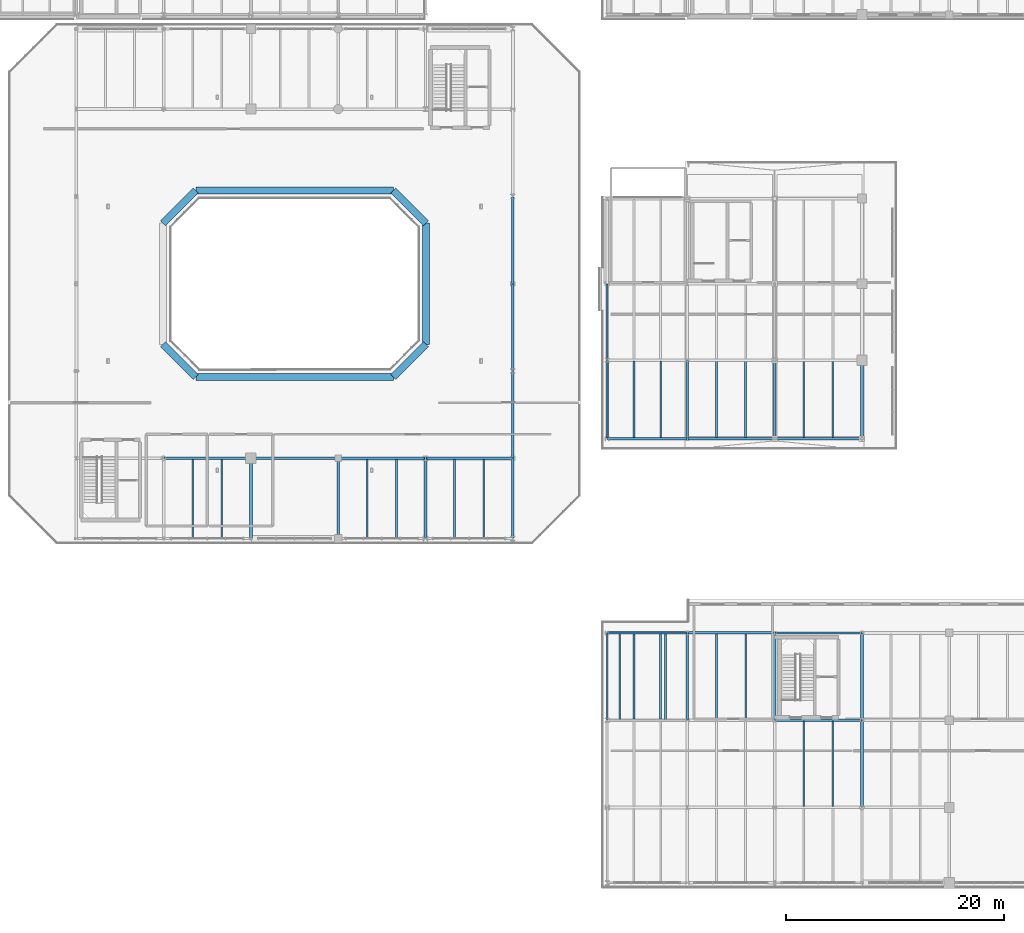
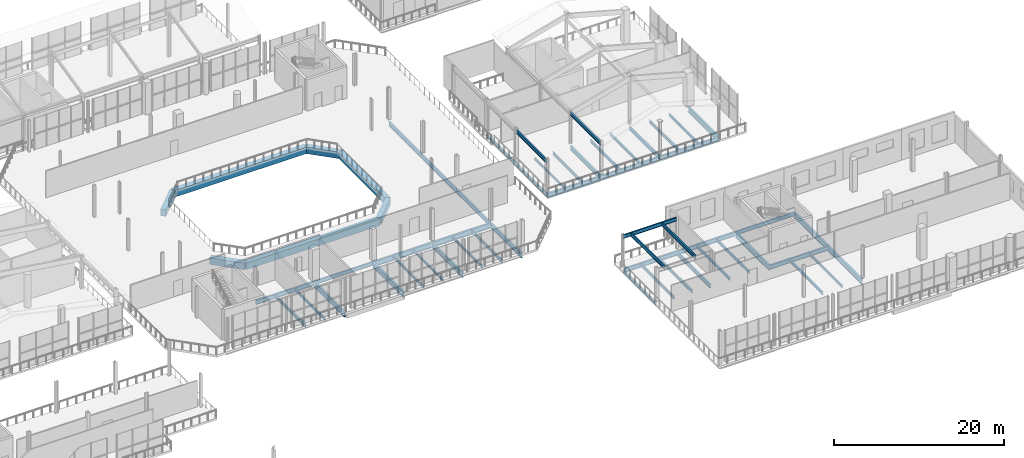
# One storey, part 30 of 70: 58 beams.
"""IFC4 building model written with IfcOpenShell, lengths in metres."""

from ifc_helpers import new_model, si_unit, direction, frame, origin, origin_2d, place, context, subcontext, project, spatial, rectangle, i_section, extrude, material, material_profile, profile_set, type_object, element, save


model = new_model("IFC4")

# Units and contexts
model_context = context("Model", 3, precision=1e-05, world=origin(), true_north=direction((0.0, 1.0)))
body_context = subcontext(model_context, "Body", "Model", "MODEL_VIEW")
ifc_project = project(units=[si_unit("LENGTHUNIT", "METRE"), si_unit("AREAUNIT", "SQUARE_METRE"), si_unit("VOLUMEUNIT", "CUBIC_METRE"), si_unit("PLANEANGLEUNIT", "RADIAN"), si_unit("MASSUNIT", "GRAM", prefix="KILO")], contexts=[model_context])

# Site, building, storey
site_placement = place(None, origin())
site = spatial("IfcSite", under=ifc_project, at=site_placement, CompositionType="ELEMENT")
building_placement = place(site_placement, origin())
building = spatial("IfcBuilding", under=site, at=building_placement, Name="Brisemont Oceanarium", CompositionType="ELEMENT")
storey_placement = place(building_placement, frame((0.0, 0.0, 10.199951171875)))
storey = spatial("IfcBuildingStorey", under=building, at=storey_placement, Name="L02", CompositionType="ELEMENT", Elevation=10.199951171875)

# Beams
ifc_material_1 = material(Name="Concrete C40/50", Category="concrete")
ifc_material_profile_1 = material_profile(ifc_material_1, rectangle(XDim=0.64990234375, YDim=0.949951171875, at=origin_2d()), Name="RC-BM-650X950")
ifc_profile_set_1 = profile_set([ifc_material_profile_1], Name="Concrete C40/50")
beam_type_1 = type_object("IfcBeamType", Name="BM-RC650X950", PredefinedType="BEAM", material=ifc_profile_set_1)
beam_1_placement = place(storey_placement, frame((74.949951171875, 47.449951171875, -0.780029296875), z_axis=(1.0, 0.0, 0.0), x_axis=(0.0, 1.0, 0.0)))
element("IfcBeam", 1, at=beam_1_placement, inside=storey, type_object=beam_type_1, Name="V4 Ocean Tank ring beam 1", PredefinedType="BEAM", context=body_context, shape_type="SweptSolid", body=[
    extrude(rectangle(XDim=0.64990234375, YDim=0.949951171875, at=origin_2d()), origin(), (0.0, 0.0, 1.0), 18.10009765625),
])
beam_2_placement = place(storey_placement, frame((93.050048828125, 47.449951171875, -0.780029296875), z_axis=(0.707106781187, 0.707106781187, 0.0), x_axis=(-0.707106781187, 0.707106781187, 0.0)))
element("IfcBeam", 2, at=beam_2_placement, inside=storey, type_object=beam_type_1, Name="V4 Ocean Tank ring beam 2", PredefinedType="BEAM", context=body_context, shape_type="SweptSolid", body=[
    extrude(rectangle(XDim=0.64990234375, YDim=0.949951171875, at=origin_2d()), origin(), (0.0, 0.0, 1.0), 4.24267578125),
])
beam_3_placement = place(storey_placement, frame((96.050048828125, 50.449951171875, -0.780029296875), z_axis=(0.0, 1.0, 0.0), x_axis=(-1.0, 0.0, 0.0)))
element("IfcBeam", 3, at=beam_3_placement, inside=storey, type_object=beam_type_1, Name="V4 Ocean Tank ring beam 3", PredefinedType="BEAM", context=body_context, shape_type="SweptSolid", body=[
    extrude(rectangle(XDim=0.64990234375, YDim=0.949951171875, at=origin_2d()), origin(), (0.0, 0.0, 1.0), 11.10009765625),
])
beam_4_placement = place(storey_placement, frame((96.050048828125, 61.550048828125, -0.780029296875), z_axis=(-0.707106781187, 0.707106781187, 0.0), x_axis=(-0.707106781187, -0.707106781187, 0.0)))
element("IfcBeam", 4, at=beam_4_placement, inside=storey, type_object=beam_type_1, Name="V4 Ocean Tank ring beam 4", PredefinedType="BEAM", context=body_context, shape_type="SweptSolid", body=[
    extrude(rectangle(XDim=0.64990234375, YDim=0.949951171875, at=origin_2d()), origin(), (0.0, 0.0, 1.0), 4.24267578125),
])
beam_5_placement = place(storey_placement, frame((93.050048828125, 64.550048828125, -0.780029296875), z_axis=(-1.0, 0.0, 0.0), x_axis=(0.0, -1.0, 0.0)))
element("IfcBeam", 5, at=beam_5_placement, inside=storey, type_object=beam_type_1, Name="V4 Ocean Tank ring beam 5", PredefinedType="BEAM", context=body_context, shape_type="SweptSolid", body=[
    extrude(rectangle(XDim=0.64990234375, YDim=0.949951171875, at=origin_2d()), origin(), (0.0, 0.0, 1.0), 18.10009765625),
])
for number, where, z_axis, x_axis, name in (
    (6, (74.949951171875, 64.550048828125, -0.780029296875), (-0.707106781187, -0.707106781187, 0.0), (0.707106781187, -0.707106781187, 0.0), "V4 Ocean Tank ring beam 6"),
    (7, (71.949951171875, 50.449951171875, -0.780029296875), (0.707106781187, -0.707106781187, 0.0), (0.707106781187, 0.707106781187, 0.0), "V4 Ocean Tank ring beam 8"),
):
    element("IfcBeam", number, at=place(storey_placement, frame(where, z_axis=z_axis, x_axis=x_axis)), inside=storey, type_object=beam_type_1, Name=name, PredefinedType="BEAM", context=body_context, shape_type="SweptSolid", body=[
        extrude(rectangle(XDim=0.64990234375, YDim=0.949951171875, at=origin_2d()), origin(), (0.0, 0.0, 1.0), 4.24267578125),
    ])
ifc_material_2 = material(Name="Structural Steel ASTM A992 Gr.50", Category="steel")
ifc_material_profile_2 = material_profile(ifc_material_2, i_section(OverallWidth=0.1650390625, OverallDepth=0.31005859375, WebThickness=0.005859375, FlangeThickness=0.009765625, FilletRadius=0.008056640625, at=origin_2d()), Name="W12X26")
ifc_profile_set_2 = profile_set([ifc_material_profile_2], Name="Structural Steel ASTM A992 Gr.50")
beam_type_2 = type_object("IfcBeamType", Name="BM-W12X26", PredefinedType="JOIST", material=ifc_profile_set_2)
for number, where, z_axis, x_axis, name in (
    (8, (93.333251953125, 32.68994140625, -0.454833984375), (0.0, 1.0, 0.0), (-1.0, 0.0, 0.0), "V1 L02 secondary floor beam"),
    (9, (98.666748046875, 32.68994140625, -0.454833984375), (0.0, 1.0, 0.0), (-1.0, 0.0, 0.0), "V1 L02 secondary floor beam"),
):
    element("IfcBeam", number, at=place(storey_placement, frame(where, z_axis=z_axis, x_axis=x_axis)), inside=storey, type_object=beam_type_2, Name=name, PredefinedType="JOIST", context=body_context, shape_type="SweptSolid", body=[
        extrude(i_section(OverallWidth=0.1650390625, OverallDepth=0.31005859375, WebThickness=0.005859375, FlangeThickness=0.009765625, FilletRadius=0.008056640625, at=origin_2d()), origin(), (0.0, 0.0, 1.0), 7.219970703125),
    ])
beam_6_placement = place(storey_placement, frame((115.10009765625, 41.889892578125, -0.4150390625), z_axis=(0.0, 1.0, 0.0), x_axis=(-1.0, 0.0, 0.0)))
element("IfcBeam", 10, at=beam_6_placement, inside=storey, type_object=beam_type_2, Name="V5E L02 secondary floor beam", PredefinedType="JOIST", context=body_context, shape_type="SweptSolid", body=[
    extrude(i_section(OverallWidth=0.1650390625, OverallDepth=0.31005859375, WebThickness=0.005859375, FlangeThickness=0.009765625, FilletRadius=0.008056640625, at=origin_2d()), origin(), (0.0, 0.0, 1.0), 7.02001953125),
])
ifc_material_3 = material(Name="Structural Steel ASTM A992 Gr.50", Category="steel")
ifc_material_profile_3 = material_profile(ifc_material_3, i_section(OverallWidth=0.1708984375, OverallDepth=0.35107421875, WebThickness=0.0068359375, FlangeThickness=0.009765625, FilletRadius=0.010009765625, at=origin_2d()), Name="W14X30")
ifc_profile_set_3 = profile_set([ifc_material_profile_3], Name="Structural Steel ASTM A992 Gr.50")
beam_type_3 = type_object("IfcBeamType", Name="BM-W14X30", PredefinedType="JOIST", material=ifc_profile_set_3)
beam_7_placement = place(storey_placement, frame((90.666748046875, 32.68994140625, -0.475341796875), z_axis=(0.0, 1.0, 0.0), x_axis=(-1.0, 0.0, 0.0)))
element("IfcBeam", 11, at=beam_7_placement, inside=storey, type_object=beam_type_3, Name="V1 L02 secondary floor beam", PredefinedType="JOIST", context=body_context, shape_type="SweptSolid", body=[
    extrude(i_section(OverallWidth=0.1708984375, OverallDepth=0.35107421875, WebThickness=0.0068359375, FlangeThickness=0.009765625, FilletRadius=0.010009765625, at=origin_2d()), origin(), (0.0, 0.0, 1.0), 7.219970703125),
])
ifc_material_4 = material(Name="Structural Steel ASTM A992 Gr.50", Category="steel")
ifc_material_profile_4 = material_profile(ifc_material_4, i_section(OverallWidth=0.139892578125, OverallDepth=0.39892578125, WebThickness=0.00634765625, FlangeThickness=0.0087890625, FilletRadius=0.010009765625, at=origin_2d()), Name="W16X26")
ifc_profile_set_4 = profile_set([ifc_material_profile_4], Name="Structural Steel ASTM A992 Gr.50")
beam_type_4 = type_object("IfcBeamType", Name="BM-W16X26", PredefinedType="JOIST", material=ifc_profile_set_4)
beam_8_placement = place(storey_placement, frame((77.333251953125, 32.68994140625, -0.49951171875), z_axis=(0.0, 1.0, 0.0), x_axis=(-1.0, 0.0, 0.0)))
element("IfcBeam", 12, at=beam_8_placement, inside=storey, type_object=beam_type_4, Name="V1 L02 secondary floor beam", PredefinedType="JOIST", context=body_context, shape_type="SweptSolid", body=[
    extrude(i_section(OverallWidth=0.139892578125, OverallDepth=0.39892578125, WebThickness=0.00634765625, FlangeThickness=0.0087890625, FilletRadius=0.010009765625, at=origin_2d()), origin(), (0.0, 0.0, 1.0), 7.219970703125),
])
for number, where, z_axis, x_axis, name in (
    (13, (125.333251953125, 16.090087890625, -0.4794921875), (0.0, 1.0, 0.0), (-1.0, 0.0, 0.0), "V3 L02 secondary floor beam"),
    (14, (133.333251953125, 8.090087890625, -0.4794921875), (0.0, 1.0, 0.0), (-1.0, 0.0, 0.0), "V3 L02 secondary floor beam"),
):
    element("IfcBeam", number, at=place(storey_placement, frame(where, z_axis=z_axis, x_axis=x_axis)), inside=storey, type_object=beam_type_4, Name=name, PredefinedType="JOIST", context=body_context, shape_type="SweptSolid", body=[
        extrude(i_section(OverallWidth=0.139892578125, OverallDepth=0.39892578125, WebThickness=0.00634765625, FlangeThickness=0.0087890625, FilletRadius=0.010009765625, at=origin_2d()), origin(), (0.0, 0.0, 1.0), 7.81982421875),
    ])
beam_9_placement = place(storey_placement, frame((133.333251953125, 41.889892578125, -0.45947265625), z_axis=(0.0, 1.0, 0.0), x_axis=(-1.0, 0.0, 0.0)))
element("IfcBeam", 15, at=beam_9_placement, inside=storey, type_object=beam_type_4, Name="V5E L02 secondary floor beam", PredefinedType="JOIST", context=body_context, shape_type="SweptSolid", body=[
    extrude(i_section(OverallWidth=0.139892578125, OverallDepth=0.39892578125, WebThickness=0.00634765625, FlangeThickness=0.0087890625, FilletRadius=0.010009765625, at=origin_2d()), origin(), (0.0, 0.0, 1.0), 7.02001953125),
])
ifc_material_5 = material(Name="Structural Steel ASTM A992 Gr.50", Category="steel")
ifc_material_profile_5 = material_profile(ifc_material_5, i_section(OverallWidth=0.177978515625, OverallDepth=0.404052734375, WebThickness=0.007568359375, FlangeThickness=0.010986328125, FilletRadius=0.010009765625, at=origin_2d()), Name="W16X36")
ifc_profile_set_5 = profile_set([ifc_material_profile_5], Name="Structural Steel ASTM A992 Gr.50")
beam_type_5 = type_object("IfcBeamType", Name="BM-W16X36", PredefinedType="JOIST", material=ifc_profile_set_5)
beam_10_placement = place(storey_placement, frame((74.666748046875, 32.68994140625, -0.501953125), z_axis=(0.0, 1.0, 0.0), x_axis=(-1.0, 0.0, 0.0)))
element("IfcBeam", 16, at=beam_10_placement, inside=storey, type_object=beam_type_5, Name="V1 L02 secondary floor beam", PredefinedType="JOIST", context=body_context, shape_type="SweptSolid", body=[
    extrude(i_section(OverallWidth=0.177978515625, OverallDepth=0.404052734375, WebThickness=0.007568359375, FlangeThickness=0.010986328125, FilletRadius=0.010009765625, at=origin_2d()), origin(), (0.0, 0.0, 1.0), 7.219970703125),
])
for number, where, z_axis, x_axis, name in (
    (17, (117.550048828125, 16.090087890625, -0.48193359375), (0.0, 1.0, 0.0), (-1.0, 0.0, 0.0), "V3 L02 secondary floor beam"),
    (18, (122.666748046875, 16.090087890625, -0.48193359375), (0.0, 1.0, 0.0), (-1.0, 0.0, 0.0), "V3 L02 secondary floor beam"),
    (19, (130.666748046875, 8.090087890625, -0.48193359375), (0.0, 1.0, 0.0), (-1.0, 0.0, 0.0), "V3 L02 secondary floor beam"),
):
    element("IfcBeam", number, at=place(storey_placement, frame(where, z_axis=z_axis, x_axis=x_axis)), inside=storey, type_object=beam_type_5, Name=name, PredefinedType="JOIST", context=body_context, shape_type="SweptSolid", body=[
        extrude(i_section(OverallWidth=0.177978515625, OverallDepth=0.404052734375, WebThickness=0.007568359375, FlangeThickness=0.010986328125, FilletRadius=0.010009765625, at=origin_2d()), origin(), (0.0, 0.0, 1.0), 7.81982421875),
    ])
for number, where, z_axis, x_axis, name in (
    (20, (125.333251953125, 41.889892578125, -0.4619140625), (0.0, 1.0, 0.0), (-1.0, 0.0, 0.0), "V5E L02 secondary floor beam"),
    (21, (130.666748046875, 41.889892578125, -0.4619140625), (0.0, 1.0, 0.0), (-1.0, 0.0, 0.0), "V5E L02 secondary floor beam"),
):
    element("IfcBeam", number, at=place(storey_placement, frame(where, z_axis=z_axis, x_axis=x_axis)), inside=storey, type_object=beam_type_5, Name=name, PredefinedType="JOIST", context=body_context, shape_type="SweptSolid", body=[
        extrude(i_section(OverallWidth=0.177978515625, OverallDepth=0.404052734375, WebThickness=0.007568359375, FlangeThickness=0.010986328125, FilletRadius=0.010009765625, at=origin_2d()), origin(), (0.0, 0.0, 1.0), 7.02001953125),
    ])
ifc_material_6 = material(Name="Structural Steel ASTM A992 Gr.50", Category="steel")
ifc_material_profile_6 = material_profile(ifc_material_6, i_section(OverallWidth=0.153076171875, OverallDepth=0.455078125, WebThickness=0.008056640625, FlangeThickness=0.01318359375, FilletRadius=0.010986328125, at=origin_2d()), Name="W18X40")
ifc_profile_set_6 = profile_set([ifc_material_profile_6], Name="Structural Steel ASTM A992 Gr.50")
beam_type_6 = type_object("IfcBeamType", Name="BM-W18X40", PredefinedType="JOIST", material=ifc_profile_set_6)
beam_11_placement = place(storey_placement, frame((101.333251953125, 32.68994140625, -0.52734375), z_axis=(0.0, 1.0, 0.0), x_axis=(-1.0, 0.0, 0.0)))
element("IfcBeam", 22, at=beam_11_placement, inside=storey, type_object=beam_type_6, Name="V1 L02 secondary floor beam", PredefinedType="JOIST", context=body_context, shape_type="SweptSolid", body=[
    extrude(i_section(OverallWidth=0.153076171875, OverallDepth=0.455078125, WebThickness=0.008056640625, FlangeThickness=0.01318359375, FilletRadius=0.010986328125, at=origin_2d()), origin(), (0.0, 0.0, 1.0), 7.219970703125),
])
beam_12_placement = place(storey_placement, frame((115.10009765625, 16.090087890625, -0.507568359375), z_axis=(0.0, 1.0, 0.0), x_axis=(-1.0, 0.0, 0.0)))
element("IfcBeam", 23, at=beam_12_placement, inside=storey, type_object=beam_type_6, Name="V3 L02 secondary floor beam", PredefinedType="JOIST", context=body_context, shape_type="SweptSolid", body=[
    extrude(i_section(OverallWidth=0.153076171875, OverallDepth=0.455078125, WebThickness=0.008056640625, FlangeThickness=0.01318359375, FilletRadius=0.010986328125, at=origin_2d()), origin(), (0.0, 0.0, 1.0), 7.81982421875),
])
for number, where, z_axis, x_axis, name in (
    (24, (117.550048828125, 41.889892578125, -0.487548828125), (0.0, 1.0, 0.0), (-1.0, 0.0, 0.0), "V5E L02 secondary floor beam"),
    (25, (122.666748046875, 41.889892578125, -0.487548828125), (0.0, 1.0, 0.0), (-1.0, 0.0, 0.0), "V5E L02 secondary floor beam"),
):
    element("IfcBeam", number, at=place(storey_placement, frame(where, z_axis=z_axis, x_axis=x_axis)), inside=storey, type_object=beam_type_6, Name=name, PredefinedType="JOIST", context=body_context, shape_type="SweptSolid", body=[
        extrude(i_section(OverallWidth=0.153076171875, OverallDepth=0.455078125, WebThickness=0.008056640625, FlangeThickness=0.01318359375, FilletRadius=0.010986328125, at=origin_2d()), origin(), (0.0, 0.0, 1.0), 7.02001953125),
    ])
ifc_material_7 = material(Name="Structural Steel ASTM A992 Gr.50", Category="steel")
ifc_material_profile_7 = material_profile(ifc_material_7, i_section(OverallWidth=0.154052734375, OverallDepth=0.458984375, WebThickness=0.009033203125, FlangeThickness=0.015380859375, FilletRadius=0.010986328125, at=origin_2d()), Name="W18X46")
ifc_profile_set_7 = profile_set([ifc_material_profile_7], Name="Structural Steel ASTM A992 Gr.50")
beam_type_7 = type_object("IfcBeamType", Name="BM-W18X46", PredefinedType="SPANDREL", material=ifc_profile_set_7)
beam_13_placement = place(storey_placement, frame((112.64990234375, 16.0400390625, -0.509521484375), z_axis=(0.0, 1.0, 0.0), x_axis=(-1.0, 0.0, 0.0)))
element("IfcBeam", 26, at=beam_13_placement, inside=storey, type_object=beam_type_7, Name="V3 L02 NS girder", PredefinedType="SPANDREL", context=body_context, shape_type="SweptSolid", body=[
    extrude(i_section(OverallWidth=0.154052734375, OverallDepth=0.458984375, WebThickness=0.009033203125, FlangeThickness=0.015380859375, FilletRadius=0.010986328125, at=origin_2d()), origin(), (0.0, 0.0, 1.0), 7.919921875),
])
beam_14_placement = place(storey_placement, frame((112.64990234375, 49.0400390625, -0.489501953125), z_axis=(0.0, 1.0, 0.0), x_axis=(-1.0, 0.0, 0.0)))
element("IfcBeam", 27, at=beam_14_placement, inside=storey, type_object=beam_type_7, Name="V5E L02 NS girder", PredefinedType="SPANDREL", context=body_context, shape_type="SweptSolid", body=[
    extrude(i_section(OverallWidth=0.154052734375, OverallDepth=0.458984375, WebThickness=0.009033203125, FlangeThickness=0.015380859375, FilletRadius=0.010986328125, at=origin_2d()), origin(), (0.0, 0.0, 1.0), 6.919921875),
])
ifc_material_8 = material(Name="Structural Steel ASTM A992 Gr.50", Category="steel")
ifc_material_profile_8 = material_profile(ifc_material_8, i_section(OverallWidth=0.19091796875, OverallDepth=0.4599609375, WebThickness=0.010009765625, FlangeThickness=0.01611328125, FilletRadius=0.010986328125, at=origin_2d()), Name="W18X55")
ifc_profile_set_8 = profile_set([ifc_material_profile_8], Name="Structural Steel ASTM A992 Gr.50")
beam_type_8 = type_object("IfcBeamType", Name="BM-W18X55", PredefinedType="SPANDREL", material=ifc_profile_set_8)
beam_15_placement = place(storey_placement, frame((112.64990234375, 41.840087890625, -0.489990234375), z_axis=(0.0, 1.0, 0.0), x_axis=(-1.0, 0.0, 0.0)))
element("IfcBeam", 28, at=beam_15_placement, inside=storey, type_object=beam_type_8, Name="V5E L02 NS girder", PredefinedType="SPANDREL", context=body_context, shape_type="SweptSolid", body=[
    extrude(i_section(OverallWidth=0.19091796875, OverallDepth=0.4599609375, WebThickness=0.010009765625, FlangeThickness=0.01611328125, FilletRadius=0.010986328125, at=origin_2d()), origin(), (0.0, 0.0, 1.0), 7.119873046875),
])
ifc_material_9 = material(Name="Structural Steel ASTM A992 Gr.50", Category="steel")
ifc_material_profile_9 = material_profile(ifc_material_9, i_section(OverallWidth=0.166015625, OverallDepth=0.528076171875, WebThickness=0.009765625, FlangeThickness=0.013671875, FilletRadius=0.012939453125, at=origin_2d()), Name="W21X50")
ifc_profile_set_9 = profile_set([ifc_material_profile_9], Name="Structural Steel ASTM A992 Gr.50")
beam_type_9 = type_object("IfcBeamType", Name="BM-W21X50", PredefinedType="SPANDREL", material=ifc_profile_set_9)
beam_16_placement = place(storey_placement, frame((112.68994140625, 24.0, 4.296142578125), z_axis=(1.0, 0.0, 0.0), x_axis=(0.0, 1.0, 0.0)))
element("IfcBeam", 29, at=beam_16_placement, inside=storey, type_object=beam_type_9, Name="Skylight roof support girder 5", PredefinedType="SPANDREL", context=body_context, shape_type="SweptSolid", body=[
    extrude(i_section(OverallWidth=0.166015625, OverallDepth=0.528076171875, WebThickness=0.009765625, FlangeThickness=0.013671875, FilletRadius=0.012939453125, at=origin_2d()), origin(), (0.0, 0.0, 1.0), 7.27001953125),
])
for number, where, z_axis, x_axis, name in (
    (30, (113.800048828125, 16.0400390625, 4.296142578125), (0.0, 1.0, 0.0), (-1.0, 0.0, 0.0), "Skylight roof support girder 6"),
    (31, (118.0, 16.0400390625, 4.296142578125), (0.0, 1.0, 0.0), (-1.0, 0.0, 0.0), "Skylight roof support girder 7"),
):
    element("IfcBeam", number, at=place(storey_placement, frame(where, z_axis=z_axis, x_axis=x_axis)), inside=storey, type_object=beam_type_9, Name=name, PredefinedType="SPANDREL", context=body_context, shape_type="SweptSolid", body=[
        extrude(i_section(OverallWidth=0.166015625, OverallDepth=0.528076171875, WebThickness=0.009765625, FlangeThickness=0.013671875, FilletRadius=0.012939453125, at=origin_2d()), origin(), (0.0, 0.0, 1.0), 7.919921875),
    ])
ifc_material_10 = material(Name="Structural Steel ASTM A992 Gr.50", Category="steel")
ifc_material_profile_10 = material_profile(ifc_material_10, i_section(OverallWidth=0.2099609375, OverallDepth=0.532958984375, WebThickness=0.01025390625, FlangeThickness=0.015625, FilletRadius=0.012939453125, at=origin_2d()), Name="W21X62")
ifc_profile_set_10 = profile_set([ifc_material_profile_10], Name="Structural Steel ASTM A992 Gr.50")
beam_type_10 = type_object("IfcBeamType", Name="BM-W21X62", PredefinedType="BEAM", material=ifc_profile_set_10)
for number, where, z_axis, x_axis, name in (
    (32, (80.0400390625, 40.0, -0.56640625), (1.0, 0.0, 0.0), (0.0, 1.0, 0.0), "V1 L02 EW girder"),
    (33, (128.0400390625, 24.0, -0.54638671875), (1.0, 0.0, 0.0), (0.0, 1.0, 0.0), "V3 L02 EW girder"),
    (34, (120.0, 16.0400390625, -0.54638671875), (0.0, 1.0, 0.0), (-1.0, 0.0, 0.0), "V3 L02 NS girder"),
):
    element("IfcBeam", number, at=place(storey_placement, frame(where, z_axis=z_axis, x_axis=x_axis)), inside=storey, type_object=beam_type_10, Name=name, PredefinedType="BEAM", context=body_context, shape_type="SweptSolid", body=[
        extrude(i_section(OverallWidth=0.2099609375, OverallDepth=0.532958984375, WebThickness=0.01025390625, FlangeThickness=0.015625, FilletRadius=0.012939453125, at=origin_2d()), origin(), (0.0, 0.0, 1.0), 7.919921875),
    ])
for number, where, z_axis, x_axis, name in (
    (35, (128.0, 41.840087890625, -0.5263671875), (0.0, 1.0, 0.0), (-1.0, 0.0, 0.0), "V5E L02 NS girder"),
    (36, (112.64990234375, 41.840087890625, 4.33349609375), (0.0, 1.0, 0.0), (-1.0, 0.0, 0.0), "V5E NS roof eave girder"),
    (37, (120.0, 41.840087890625, 4.33349609375), (0.0, 1.0, 0.0), (-1.0, 0.0, 0.0), "V5E NS roof eave girder"),
):
    element("IfcBeam", number, at=place(storey_placement, frame(where, z_axis=z_axis, x_axis=x_axis)), inside=storey, type_object=beam_type_10, Name=name, PredefinedType="BEAM", context=body_context, shape_type="SweptSolid", body=[
        extrude(i_section(OverallWidth=0.2099609375, OverallDepth=0.532958984375, WebThickness=0.01025390625, FlangeThickness=0.015625, FilletRadius=0.012939453125, at=origin_2d()), origin(), (0.0, 0.0, 1.0), 7.119873046875),
    ])
ifc_material_11 = material(Name="Structural Steel ASTM A992 Gr.50", Category="steel")
ifc_material_profile_11 = material_profile(ifc_material_11, i_section(OverallWidth=0.22802734375, OverallDepth=0.60205078125, WebThickness=0.010498046875, FlangeThickness=0.014892578125, FilletRadius=0.012939453125, at=origin_2d()), Name="W24X68")
ifc_profile_set_11 = profile_set([ifc_material_profile_11], Name="Structural Steel ASTM A992 Gr.50")
beam_type_11 = type_object("IfcBeamType", Name="BM-W24X68", PredefinedType="BEAM", material=ifc_profile_set_11)
for number, where, z_axis, x_axis, name in (
    (38, (72.0400390625, 40.0, -0.600830078125), (1.0, 0.0, 0.0), (0.0, 1.0, 0.0), "V1 L02 EW girder"),
    (39, (104.0, 56.0400390625, -0.600830078125), (0.0, 1.0, 0.0), (-1.0, 0.0, 0.0), "V1 L02 NS girder"),
    (40, (128.0400390625, 16.0, -0.5810546875), (1.0, 0.0, 0.0), (0.0, 1.0, 0.0), "V3 L02 EW girder"),
    (41, (120.0400390625, 24.0, -0.5810546875), (1.0, 0.0, 0.0), (0.0, 1.0, 0.0), "V3 L02 EW girder"),
):
    element("IfcBeam", number, at=place(storey_placement, frame(where, z_axis=z_axis, x_axis=x_axis)), inside=storey, type_object=beam_type_11, Name=name, PredefinedType="BEAM", context=body_context, shape_type="SweptSolid", body=[
        extrude(i_section(OverallWidth=0.22802734375, OverallDepth=0.60205078125, WebThickness=0.010498046875, FlangeThickness=0.014892578125, FilletRadius=0.012939453125, at=origin_2d()), origin(), (0.0, 0.0, 1.0), 7.919921875),
    ])
beam_17_placement = place(storey_placement, frame((120.0, 41.840087890625, -0.56103515625), z_axis=(0.0, 1.0, 0.0), x_axis=(-1.0, 0.0, 0.0)))
element("IfcBeam", 42, at=beam_17_placement, inside=storey, type_object=beam_type_11, Name="V5E L02 NS girder", PredefinedType="BEAM", context=body_context, shape_type="SweptSolid", body=[
    extrude(i_section(OverallWidth=0.22802734375, OverallDepth=0.60205078125, WebThickness=0.010498046875, FlangeThickness=0.014892578125, FilletRadius=0.012939453125, at=origin_2d()), origin(), (0.0, 0.0, 1.0), 7.119873046875),
])
ifc_material_12 = material(Name="Structural Steel ASTM A992 Gr.50", Category="steel")
ifc_material_profile_12 = material_profile(ifc_material_12, i_section(OverallWidth=0.22802734375, OverallDepth=0.60791015625, WebThickness=0.01123046875, FlangeThickness=0.017333984375, FilletRadius=0.012939453125, at=origin_2d()), Name="W24X76")
ifc_profile_set_12 = profile_set([ifc_material_profile_12], Name="Structural Steel ASTM A992 Gr.50")
beam_type_12 = type_object("IfcBeamType", Name="BM-W24X76", PredefinedType="BEAM", material=ifc_profile_set_12)
beam_18_placement = place(storey_placement, frame((104.0, 48.0400390625, -0.60400390625), z_axis=(0.0, 1.0, 0.0), x_axis=(-1.0, 0.0, 0.0)))
element("IfcBeam", 43, at=beam_18_placement, inside=storey, type_object=beam_type_12, Name="V1 L02 NS girder", PredefinedType="BEAM", context=body_context, shape_type="SweptSolid", body=[
    extrude(i_section(OverallWidth=0.22802734375, OverallDepth=0.60791015625, WebThickness=0.01123046875, FlangeThickness=0.017333984375, FilletRadius=0.012939453125, at=origin_2d()), origin(), (0.0, 0.0, 1.0), 7.919921875),
])
beam_19_placement = place(storey_placement, frame((112.68994140625, 24.0, -0.583984375), z_axis=(1.0, 0.0, 0.0), x_axis=(0.0, 1.0, 0.0)))
element("IfcBeam", 44, at=beam_19_placement, inside=storey, type_object=beam_type_12, Name="V3 L02 EW girder", PredefinedType="BEAM", context=body_context, shape_type="SweptSolid", body=[
    extrude(i_section(OverallWidth=0.22802734375, OverallDepth=0.60791015625, WebThickness=0.01123046875, FlangeThickness=0.017333984375, FilletRadius=0.012939453125, at=origin_2d()), origin(), (0.0, 0.0, 1.0), 7.27001953125),
])
beam_20_placement = place(storey_placement, frame((128.0400390625, 41.800048828125, -0.56396484375), z_axis=(1.0, 0.0, 0.0), x_axis=(0.0, 1.0, 0.0)))
element("IfcBeam", 45, at=beam_20_placement, inside=storey, type_object=beam_type_12, Name="V5E L02 EW girder", PredefinedType="BEAM", context=body_context, shape_type="SweptSolid", body=[
    extrude(i_section(OverallWidth=0.22802734375, OverallDepth=0.60791015625, WebThickness=0.01123046875, FlangeThickness=0.017333984375, FilletRadius=0.012939453125, at=origin_2d()), origin(), (0.0, 0.0, 1.0), 7.919921875),
])
ifc_material_13 = material(Name="Structural Steel ASTM A992 Gr.50", Category="steel")
ifc_material_profile_13 = material_profile(ifc_material_13, i_section(OverallWidth=0.22900390625, OverallDepth=0.612060546875, WebThickness=0.011962890625, FlangeThickness=0.01953125, FilletRadius=0.012939453125, at=origin_2d()), Name="W24X84")
ifc_profile_set_13 = profile_set([ifc_material_profile_13], Name="Structural Steel ASTM A992 Gr.50")
beam_type_13 = type_object("IfcBeamType", Name="BM-W24X84", PredefinedType="BEAM", material=ifc_profile_set_13)
for number, where, z_axis, x_axis, name in (
    (46, (104.0, 40.0400390625, -0.60595703125), (0.0, 1.0, 0.0), (-1.0, 0.0, 0.0), "V1 L02 NS girder"),
    (47, (120.0400390625, 41.800048828125, -0.56591796875), (1.0, 0.0, 0.0), (0.0, 1.0, 0.0), "V5E L02 EW girder"),
):
    element("IfcBeam", number, at=place(storey_placement, frame(where, z_axis=z_axis, x_axis=x_axis)), inside=storey, type_object=beam_type_13, Name=name, PredefinedType="BEAM", context=body_context, shape_type="SweptSolid", body=[
        extrude(i_section(OverallWidth=0.22900390625, OverallDepth=0.612060546875, WebThickness=0.011962890625, FlangeThickness=0.01953125, FilletRadius=0.012939453125, at=origin_2d()), origin(), (0.0, 0.0, 1.0), 7.919921875),
    ])
ifc_material_14 = material(Name="Structural Steel ASTM A992 Gr.50", Category="steel")
ifc_material_profile_14 = material_profile(ifc_material_14, i_section(OverallWidth=0.2529296875, OverallDepth=0.677978515625, WebThickness=0.01171875, FlangeThickness=0.016357421875, FilletRadius=0.014892578125, at=origin_2d()), Name="W27X84")
ifc_profile_set_14 = profile_set([ifc_material_profile_14], Name="Structural Steel ASTM A992 Gr.50")
beam_type_14 = type_object("IfcBeamType", Name="BM-W27X84", PredefinedType="BEAM", material=ifc_profile_set_14)
for number, where, z_axis, x_axis, name in (
    (48, (104.0, 32.68994140625, -0.638916015625), (0.0, 1.0, 0.0), (-1.0, 0.0, 0.0), "V1 L02 NS girder"),
    (49, (112.68994140625, 41.800048828125, -0.598876953125), (1.0, 0.0, 0.0), (0.0, 1.0, 0.0), "V5E L02 EW girder"),
):
    element("IfcBeam", number, at=place(storey_placement, frame(where, z_axis=z_axis, x_axis=x_axis)), inside=storey, type_object=beam_type_14, Name=name, PredefinedType="BEAM", context=body_context, shape_type="SweptSolid", body=[
        extrude(i_section(OverallWidth=0.2529296875, OverallDepth=0.677978515625, WebThickness=0.01171875, FlangeThickness=0.016357421875, FilletRadius=0.014892578125, at=origin_2d()), origin(), (0.0, 0.0, 1.0), 7.27001953125),
    ])
ifc_material_15 = material(Name="Structural Steel ASTM A992 Gr.50", Category="steel")
ifc_material_profile_15 = material_profile(ifc_material_15, i_section(OverallWidth=0.25390625, OverallDepth=0.68310546875, WebThickness=0.012451171875, FlangeThickness=0.018798828125, FilletRadius=0.014892578125, at=origin_2d()), Name="W27X94")
ifc_profile_set_15 = profile_set([ifc_material_profile_15], Name="Structural Steel ASTM A992 Gr.50")
beam_type_15 = type_object("IfcBeamType", Name="BM-W27X94", PredefinedType="BEAM", material=ifc_profile_set_15)
beam_21_placement = place(storey_placement, frame((96.0, 32.68994140625, -0.641357421875), z_axis=(0.0, 1.0, 0.0), x_axis=(-1.0, 0.0, 0.0)))
element("IfcBeam", 50, at=beam_21_placement, inside=storey, type_object=beam_type_15, Name="V1 L02 NS girder", PredefinedType="BEAM", context=body_context, shape_type="SweptSolid", body=[
    extrude(i_section(OverallWidth=0.25390625, OverallDepth=0.68310546875, WebThickness=0.012451171875, FlangeThickness=0.018798828125, FilletRadius=0.014892578125, at=origin_2d()), origin(), (0.0, 0.0, 1.0), 7.27001953125),
])
ifc_material_16 = material(Name="Structural Steel ASTM A992 Gr.50", Category="steel")
ifc_material_profile_16 = material_profile(ifc_material_16, i_section(OverallWidth=0.26708984375, OverallDepth=0.761962890625, WebThickness=0.014404296875, FlangeThickness=0.021484375, FilletRadius=0.01611328125, at=origin_2d()), Name="W30X116")
ifc_profile_set_16 = profile_set([ifc_material_profile_16], Name="Structural Steel ASTM A992 Gr.50")
beam_type_16 = type_object("IfcBeamType", Name="BM-W30X116", PredefinedType="BEAM", material=ifc_profile_set_16)
beam_22_placement = place(storey_placement, frame((88.0400390625, 40.0, -0.680908203125), z_axis=(1.0, 0.0, 0.0), x_axis=(0.0, 1.0, 0.0)))
element("IfcBeam", 51, at=beam_22_placement, inside=storey, type_object=beam_type_16, Name="V1 L02 EW girder", PredefinedType="BEAM", context=body_context, shape_type="SweptSolid", body=[
    extrude(i_section(OverallWidth=0.26708984375, OverallDepth=0.761962890625, WebThickness=0.014404296875, FlangeThickness=0.021484375, FilletRadius=0.01611328125, at=origin_2d()), origin(), (0.0, 0.0, 1.0), 7.919921875),
])
beam_23_placement = place(storey_placement, frame((80.0, 32.68994140625, -0.680908203125), z_axis=(0.0, 1.0, 0.0), x_axis=(-1.0, 0.0, 0.0)))
element("IfcBeam", 52, at=beam_23_placement, inside=storey, type_object=beam_type_16, Name="V1 L02 NS girder", PredefinedType="BEAM", context=body_context, shape_type="SweptSolid", body=[
    extrude(i_section(OverallWidth=0.26708984375, OverallDepth=0.761962890625, WebThickness=0.014404296875, FlangeThickness=0.021484375, FilletRadius=0.01611328125, at=origin_2d()), origin(), (0.0, 0.0, 1.0), 7.27001953125),
])
for number, where, z_axis, x_axis, name in (
    (53, (128.0, 16.0400390625, -0.660888671875), (0.0, 1.0, 0.0), (-1.0, 0.0, 0.0), "V3 L02 NS girder"),
    (54, (136.0, 8.0400390625, -0.660888671875), (0.0, 1.0, 0.0), (-1.0, 0.0, 0.0), "V3 L02 NS girder"),
):
    element("IfcBeam", number, at=place(storey_placement, frame(where, z_axis=z_axis, x_axis=x_axis)), inside=storey, type_object=beam_type_16, Name=name, PredefinedType="BEAM", context=body_context, shape_type="SweptSolid", body=[
        extrude(i_section(OverallWidth=0.26708984375, OverallDepth=0.761962890625, WebThickness=0.014404296875, FlangeThickness=0.021484375, FilletRadius=0.01611328125, at=origin_2d()), origin(), (0.0, 0.0, 1.0), 7.919921875),
    ])
beam_24_placement = place(storey_placement, frame((136.0, 41.840087890625, -0.640869140625), z_axis=(0.0, 1.0, 0.0), x_axis=(-1.0, 0.0, 0.0)))
element("IfcBeam", 55, at=beam_24_placement, inside=storey, type_object=beam_type_16, Name="V5E L02 NS girder", PredefinedType="BEAM", context=body_context, shape_type="SweptSolid", body=[
    extrude(i_section(OverallWidth=0.26708984375, OverallDepth=0.761962890625, WebThickness=0.014404296875, FlangeThickness=0.021484375, FilletRadius=0.01611328125, at=origin_2d()), origin(), (0.0, 0.0, 1.0), 7.119873046875),
])
ifc_material_17 = material(Name="Structural Steel ASTM A992 Gr.50", Category="steel")
ifc_material_profile_17 = material_profile(ifc_material_17, i_section(OverallWidth=0.264892578125, OverallDepth=0.7529296875, WebThickness=0.01318359375, FlangeThickness=0.01708984375, FilletRadius=0.01611328125, at=origin_2d()), Name="W30X99")
ifc_profile_set_17 = profile_set([ifc_material_profile_17], Name="Structural Steel ASTM A992 Gr.50")
beam_type_17 = type_object("IfcBeamType", Name="BM-W30X99", PredefinedType="BEAM", material=ifc_profile_set_17)
beam_25_placement = place(storey_placement, frame((96.0400390625, 40.0, -0.676513671875), z_axis=(1.0, 0.0, 0.0), x_axis=(0.0, 1.0, 0.0)))
element("IfcBeam", 56, at=beam_25_placement, inside=storey, type_object=beam_type_17, Name="V1 L02 EW girder", PredefinedType="BEAM", context=body_context, shape_type="SweptSolid", body=[
    extrude(i_section(OverallWidth=0.264892578125, OverallDepth=0.7529296875, WebThickness=0.01318359375, FlangeThickness=0.01708984375, FilletRadius=0.01611328125, at=origin_2d()), origin(), (0.0, 0.0, 1.0), 7.919921875),
])
beam_26_placement = place(storey_placement, frame((88.0, 32.68994140625, -0.676513671875), z_axis=(0.0, 1.0, 0.0), x_axis=(-1.0, 0.0, 0.0)))
element("IfcBeam", 57, at=beam_26_placement, inside=storey, type_object=beam_type_17, Name="V1 L02 NS girder", PredefinedType="BEAM", context=body_context, shape_type="SweptSolid", body=[
    extrude(i_section(OverallWidth=0.264892578125, OverallDepth=0.7529296875, WebThickness=0.01318359375, FlangeThickness=0.01708984375, FilletRadius=0.01611328125, at=origin_2d()), origin(), (0.0, 0.0, 1.0), 7.27001953125),
])
beam_27_placement = place(storey_placement, frame((136.0, 16.0400390625, -0.656494140625), z_axis=(0.0, 1.0, 0.0), x_axis=(-1.0, 0.0, 0.0)))
element("IfcBeam", 58, at=beam_27_placement, inside=storey, type_object=beam_type_17, Name="V3 L02 NS girder", PredefinedType="BEAM", context=body_context, shape_type="SweptSolid", body=[
    extrude(i_section(OverallWidth=0.264892578125, OverallDepth=0.7529296875, WebThickness=0.01318359375, FlangeThickness=0.01708984375, FilletRadius=0.01611328125, at=origin_2d()), origin(), (0.0, 0.0, 1.0), 7.919921875),
])

save(model, "model.ifc")
